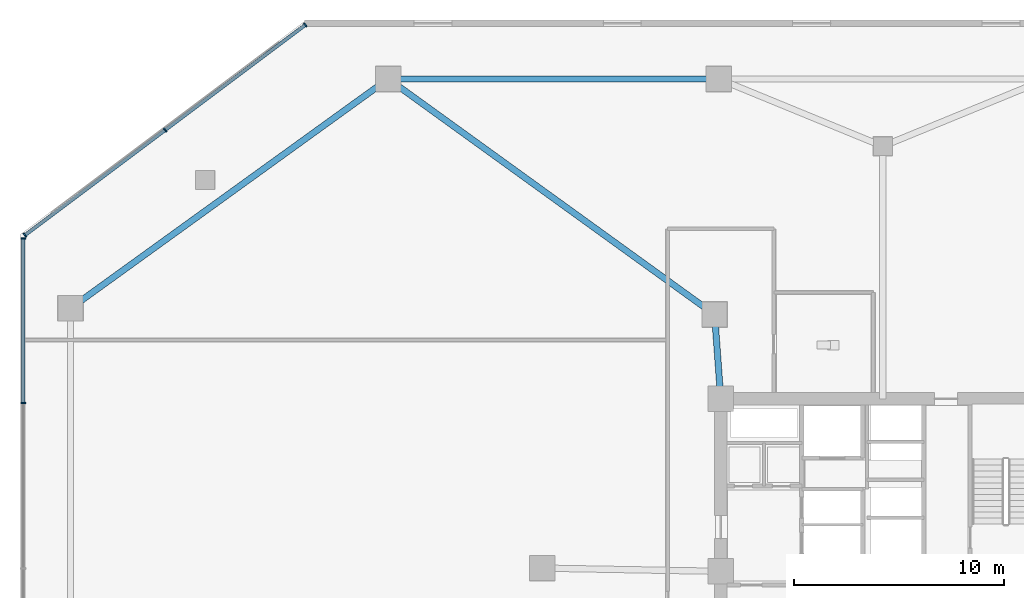
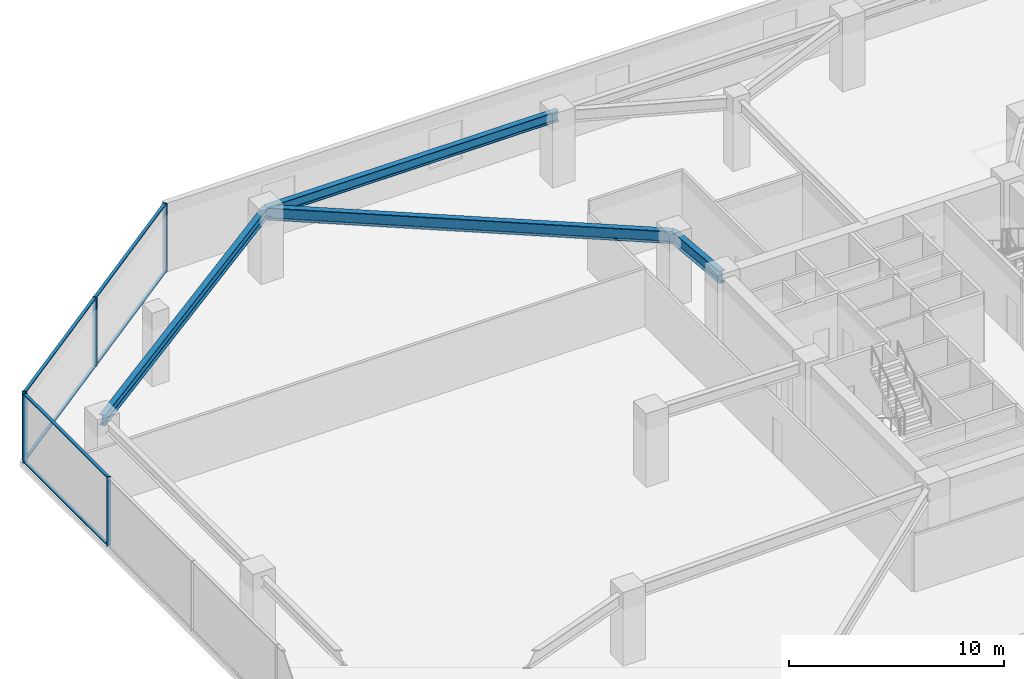
# One storey, part 6 of 21: 11 members, 4 beams, 2 elements without a shape of their own.
"""IFC4 building model written with IfcOpenShell, lengths in metres."""

from ifc_helpers import new_model, si_unit, direction, frame, origin, origin_2d, place, context, subcontext, project, spatial, rectangle, i_section, extrude, material, material_profile, profile_set, type_object, element, aggregate, save


model = new_model("IFC4")

# Units and contexts
model_context = context("Model", 3, precision=1e-05, world=origin(), true_north=direction((0.0, 1.0)))
body_context = subcontext(model_context, "Body", "Model", "MODEL_VIEW")
ifc_project = project(units=[si_unit("LENGTHUNIT", "METRE"), si_unit("AREAUNIT", "SQUARE_METRE"), si_unit("VOLUMEUNIT", "CUBIC_METRE"), si_unit("PLANEANGLEUNIT", "RADIAN"), si_unit("MASSUNIT", "GRAM", prefix="KILO")], contexts=[model_context])

# Site, building, storey
site_placement = place(None, origin())
site = spatial("IfcSite", under=ifc_project, at=site_placement, CompositionType="ELEMENT")
building_placement = place(site_placement, origin())
building = spatial("IfcBuilding", under=site, at=building_placement, Name="Savorim Split Tower", CompositionType="ELEMENT")
storey_placement = place(building_placement, frame((0.0, 0.0, 5.0)))
storey = spatial("IfcBuildingStorey", under=building, at=storey_placement, Name="L01", CompositionType="ELEMENT", Elevation=5.0)

# Beams
ifc_material_1 = material(Name="Steel S355", Category="steel")
ifc_material_profile_1 = material_profile(ifc_material_1, i_section(OverallWidth=0.300048828125, OverallDepth=0.699951171875, WebThickness=0.01708984375, FlangeThickness=0.031982421875, FilletRadius=0.027099609375, at=origin_2d()), Name="HEB 700")
ifc_profile_set_1 = profile_set([ifc_material_profile_1], Name="Steel S355")
beam_type_1 = type_object("IfcBeamType", Name="BM-PRI-HEB700", PredefinedType="BEAM", material=ifc_profile_set_1)
beam_1_placement = place(storey_placement, frame((-23.5, 25.39990234375, 3.570068359375), z_axis=(0.810720623397, -0.585433233426, 0.0), x_axis=(0.585433233426, 0.810720623397, 0.0)))
element("IfcBeam", 1, at=beam_1_placement, inside=storey, type_object=beam_type_1, Name="L01 Podium Primary Girder BG-15", PredefinedType="BEAM", context=body_context, shape_type="SweptSolid", body=[
    extrude(i_section(OverallWidth=0.300048828125, OverallDepth=0.699951171875, WebThickness=0.01708984375, FlangeThickness=0.031982421875, FilletRadius=0.027099609375, at=origin_2d()), origin(), (0.0, 0.0, 1.0), 19.128173828125),
])
beam_2_placement = place(storey_placement, frame((-7.992431640625, 14.20166015625, 3.570068359375), z_axis=(0.072894449016, -0.997339660949, 0.0), x_axis=(0.997339660949, 0.072894449016, 0.0)))
element("IfcBeam", 2, at=beam_2_placement, inside=storey, type_object=beam_type_1, Name="L01 Podium Primary Girder BG-29", PredefinedType="BEAM", context=body_context, shape_type="SweptSolid", body=[
    extrude(i_section(OverallWidth=0.300048828125, OverallDepth=0.699951171875, WebThickness=0.01708984375, FlangeThickness=0.031982421875, FilletRadius=0.027099609375, at=origin_2d()), origin(), (0.0, 0.0, 1.0), 4.012451171875),
])
ifc_material_profile_2 = material_profile(ifc_material_1, i_section(OverallWidth=0.300048828125, OverallDepth=0.590087890625, WebThickness=0.012939453125, FlangeThickness=0.02490234375, FilletRadius=0.027099609375, at=origin_2d()), Name="HEA 600")
ifc_profile_set_2 = profile_set([ifc_material_profile_2], Name="Steel S355")
beam_type_2 = type_object("IfcBeamType", Name="BM-SPN-HEA600", PredefinedType="SPANDREL", material=ifc_profile_set_2)
beam_3_placement = place(storey_placement, frame((-7.800048828125, 25.39990234375, 3.625), z_axis=(-1.0, 0.0, 0.0), x_axis=(0.0, -1.0, 0.0)))
element("IfcBeam", 3, at=beam_3_placement, inside=storey, type_object=beam_type_2, Name="L01 Podium Spandrel Beam 8", PredefinedType="SPANDREL", context=body_context, shape_type="SweptSolid", body=[
    extrude(i_section(OverallWidth=0.300048828125, OverallDepth=0.590087890625, WebThickness=0.012939453125, FlangeThickness=0.02490234375, FilletRadius=0.027099609375, at=origin_2d()), origin(), (0.0, 0.0, 1.0), 15.699951171875),
])
beam_4_placement = place(storey_placement, frame((-23.5, 25.39990234375, 3.625), z_axis=(-0.810825083438, -0.585288547699, 0.0), x_axis=(0.585288547699, -0.810825083438, 0.0)))
element("IfcBeam", 4, at=beam_4_placement, inside=storey, type_object=beam_type_2, Name="L01 Podium Spandrel Beam 9", PredefinedType="SPANDREL", context=body_context, shape_type="SweptSolid", body=[
    extrude(i_section(OverallWidth=0.300048828125, OverallDepth=0.590087890625, WebThickness=0.012939453125, FlangeThickness=0.02490234375, FilletRadius=0.027099609375, at=origin_2d()), origin(), (0.0, 0.0, 1.0), 18.623046875),
])

# Curtain wall, members
ifc_material_2 = material(Name="Dark Ceramic-Fritted Insulated Glass", Category="glass")
curtain_wall_type = type_object("IfcCurtainWallType", Name="CW-POD-GLZ", PredefinedType="NOTDEFINED", material=ifc_material_2)
curtain_wall_1_placement = place(storey_placement, origin())
curtain_wall_1 = element("IfcCurtainWall", 5, at=curtain_wall_1_placement, inside=storey, type_object=curtain_wall_type, Name="L01 Curtain Wall CW-L01-E09", PredefinedType="NOTDEFINED")
ifc_material_3 = material(Name="Charcoal Anodised Aluminium", Category="aluminium")
ifc_material_profile_3 = material_profile(ifc_material_3, rectangle(XDim=0.219970703125, YDim=0.070068359375, at=origin_2d()), Name="ALU-M 220x70")
ifc_profile_set_3 = profile_set([ifc_material_profile_3], Name="Charcoal Anodised Aluminium")
member_type_1 = type_object("IfcMemberType", Name="CWM-220x70", PredefinedType="MULLION", material=ifc_profile_set_3)
member_1_placement = place(storey_placement, frame((-27.444091796875, 27.967041015625, 0.0), z_axis=(0.0, 0.0, 1.0), x_axis=(0.600000000002, -0.799999999998, 0.0)))
member_1 = element("IfcMember", 6, at=member_1_placement, type_object=member_type_1, Name="CW-01 mullion 1", PredefinedType="MULLION", context=body_context, shape_type="SweptSolid", body=[
    extrude(rectangle(XDim=0.219970703125, YDim=0.070068359375, at=origin_2d()), origin(), (0.0, 0.0, 1.0), 3.919921875),
])
member_2_placement = place(storey_placement, frame((-34.10400390625, 22.971923828125, 0.0), z_axis=(0.0, 0.0, 1.0), x_axis=(0.600000000002, -0.799999999998, 0.0)))
member_2 = element("IfcMember", 7, at=member_2_placement, type_object=member_type_1, Name="CW-01 mullion 2", PredefinedType="MULLION", context=body_context, shape_type="SweptSolid", body=[
    extrude(rectangle(XDim=0.219970703125, YDim=0.070068359375, at=origin_2d()), origin(), (0.0, 0.0, 1.0), 3.919921875),
])
member_3_placement = place(storey_placement, frame((-40.763916015625, 17.97705078125, 0.0), z_axis=(0.0, 0.0, 1.0), x_axis=(0.600000000002, -0.799999999998, 0.0)))
member_3 = element("IfcMember", 8, at=member_3_placement, type_object=member_type_1, Name="CW-01 mullion 3", PredefinedType="MULLION", context=body_context, shape_type="SweptSolid", body=[
    extrude(rectangle(XDim=0.219970703125, YDim=0.070068359375, at=origin_2d()), origin(), (0.0, 0.0, 1.0), 3.919921875),
])

curtain_wall_2_placement = place(storey_placement, origin())
curtain_wall_2 = element("IfcCurtainWall", 9, at=curtain_wall_2_placement, inside=storey, type_object=curtain_wall_type, Name="L01 Curtain Wall CW-L01-E10", PredefinedType="NOTDEFINED")
member_4_placement = place(storey_placement, frame((-40.840087890625, 17.824951171875, 0.0), z_axis=(0.0, 0.0, 1.0), x_axis=(1.0, 0.0, 0.0)))
member_4 = element("IfcMember", 10, at=member_4_placement, type_object=member_type_1, Name="CW-01 mullion 1", PredefinedType="MULLION", context=body_context, shape_type="SweptSolid", body=[
    extrude(rectangle(XDim=0.219970703125, YDim=0.070068359375, at=origin_2d()), origin(), (0.0, 0.0, 1.0), 3.919921875),
])
member_5_placement = place(storey_placement, frame((-40.840087890625, 9.99609375, 0.0), z_axis=(0.0, 0.0, 1.0), x_axis=(1.0, 0.0, 0.0)))
member_5 = element("IfcMember", 11, at=member_5_placement, type_object=member_type_1, Name="CW-01 mullion 2", PredefinedType="MULLION", context=body_context, shape_type="SweptSolid", body=[
    extrude(rectangle(XDim=0.219970703125, YDim=0.070068359375, at=origin_2d()), origin(), (0.0, 0.0, 1.0), 3.919921875),
])

# Member
ifc_material_profile_4 = material_profile(ifc_material_3, rectangle(XDim=0.159912109375, YDim=0.06005859375, at=origin_2d()), Name="ALU-T 160x60")
ifc_profile_set_4 = profile_set([ifc_material_profile_4], Name="Charcoal Anodised Aluminium")
member_type_2 = type_object("IfcMemberType", Name="CWT-160x60", PredefinedType="USERDEFINED", material=ifc_profile_set_4)
member_6_placement = place(storey_placement, frame((-27.471923828125, 27.946044921875, 0.030029296875), z_axis=(-0.79999290204, -0.60000946383, 0.0), x_axis=(0.60000946383, -0.79999290204, 0.0)))
member_6 = element("IfcMember", 12, at=member_6_placement, type_object=member_type_2, Name="CW-01 transom 1.1", ObjectType="TRANSOM", PredefinedType="USERDEFINED", context=body_context, shape_type="SweptSolid", body=[
    extrude(rectangle(XDim=0.159912109375, YDim=0.06005859375, at=origin_2d()), origin(), (0.0, 0.0, 1.0), 8.255126953125),
])

member_7_placement = place(storey_placement, frame((-27.471923828125, 27.946044921875, 3.889892578125), z_axis=(-0.79999290204, -0.60000946383, 0.0), x_axis=(0.60000946383, -0.79999290204, 0.0)))
member_7 = element("IfcMember", 13, at=member_7_placement, type_object=member_type_2, Name="CW-01 transom 1.2", ObjectType="TRANSOM", PredefinedType="USERDEFINED", context=body_context, shape_type="SweptSolid", body=[
    extrude(rectangle(XDim=0.159912109375, YDim=0.06005859375, at=origin_2d()), origin(), (0.0, 0.0, 1.0), 8.255126953125),
])

member_8_placement = place(storey_placement, frame((-34.132080078125, 22.950927734375, 0.030029296875), z_axis=(-0.800007097974, -0.599990535918, 0.0), x_axis=(0.599990535918, -0.800007097974, 0.0)))
member_8 = element("IfcMember", 14, at=member_8_placement, type_object=member_type_2, Name="CW-01 transom 2.1", ObjectType="TRANSOM", PredefinedType="USERDEFINED", context=body_context, shape_type="SweptSolid", body=[
    extrude(rectangle(XDim=0.159912109375, YDim=0.06005859375, at=origin_2d()), origin(), (0.0, 0.0, 1.0), 8.2548828125),
])

member_9_placement = place(storey_placement, frame((-34.132080078125, 22.950927734375, 3.889892578125), z_axis=(-0.800007097974, -0.599990535918, 0.0), x_axis=(0.599990535918, -0.800007097974, 0.0)))
member_9 = element("IfcMember", 15, at=member_9_placement, type_object=member_type_2, Name="CW-01 transom 2.2", ObjectType="TRANSOM", PredefinedType="USERDEFINED", context=body_context, shape_type="SweptSolid", body=[
    extrude(rectangle(XDim=0.159912109375, YDim=0.06005859375, at=origin_2d()), origin(), (0.0, 0.0, 1.0), 8.2548828125),
])

aggregate(curtain_wall_1, [member_1, member_2, member_3, member_6, member_7, member_8, member_9])

member_10_placement = place(storey_placement, frame((-40.840087890625, 17.7900390625, 0.030029296875), z_axis=(0.0, -1.0, 0.0), x_axis=(1.0, 0.0, 0.0)))
member_10 = element("IfcMember", 16, at=member_10_placement, type_object=member_type_2, Name="CW-01 transom 1.1", ObjectType="TRANSOM", PredefinedType="USERDEFINED", context=body_context, shape_type="SweptSolid", body=[
    extrude(rectangle(XDim=0.159912109375, YDim=0.06005859375, at=origin_2d()), origin(), (0.0, 0.0, 1.0), 7.759033203125),
])

member_11_placement = place(storey_placement, frame((-40.840087890625, 17.7900390625, 3.889892578125), z_axis=(0.0, -1.0, 0.0), x_axis=(1.0, 0.0, 0.0)))
member_11 = element("IfcMember", 17, at=member_11_placement, type_object=member_type_2, Name="CW-01 transom 1.2", ObjectType="TRANSOM", PredefinedType="USERDEFINED", context=body_context, shape_type="SweptSolid", body=[
    extrude(rectangle(XDim=0.159912109375, YDim=0.06005859375, at=origin_2d()), origin(), (0.0, 0.0, 1.0), 7.759033203125),
])

aggregate(curtain_wall_2, [member_4, member_5, member_10, member_11])

save(model, "model.ifc")
